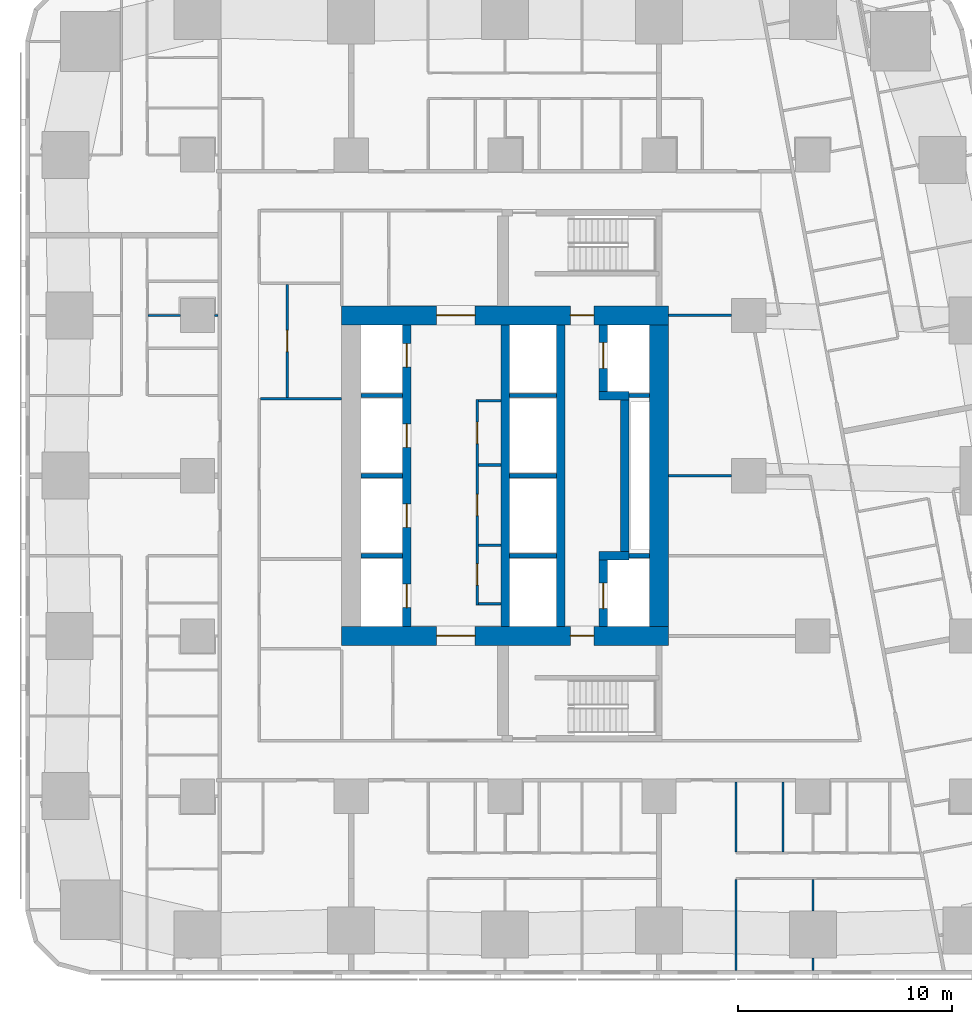
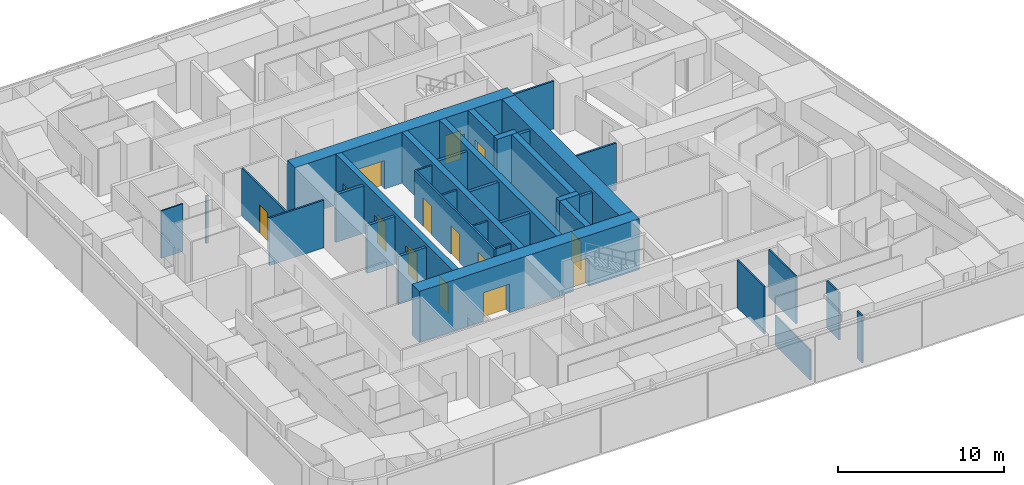
# One storey, part 5 of 15: 35 walls, 14 doors, 14 openings.
"""IFC4 building model written with IfcOpenShell, lengths in metres."""

from ifc_helpers import new_model, si_unit, direction, frame, frame_2d, origin, place, context, subcontext, project, spatial, rectangle, extrude, material, layer, layer_set, type_object, element, fill, save


model = new_model("IFC4")

# Units and contexts
model_context = context("Model", 3, precision=1e-05, world=origin(), true_north=direction((0.0, 1.0)))
body_context = subcontext(model_context, "Body", "Model", "MODEL_VIEW")
ifc_project = project(units=[si_unit("LENGTHUNIT", "METRE"), si_unit("AREAUNIT", "SQUARE_METRE"), si_unit("VOLUMEUNIT", "CUBIC_METRE"), si_unit("PLANEANGLEUNIT", "RADIAN"), si_unit("MASSUNIT", "GRAM", prefix="KILO")], contexts=[model_context])

# Site, building, storey
site_placement = place(None, origin())
site = spatial("IfcSite", under=ifc_project, at=site_placement, CompositionType="ELEMENT")
building_placement = place(site_placement, origin())
building = spatial("IfcBuilding", under=site, at=building_placement, Name="Sheger Commons Tower", CompositionType="ELEMENT")
storey_placement = place(building_placement, frame((0.0, 0.0, 81.64990234375)))
storey = spatial("IfcBuildingStorey", under=building, at=storey_placement, Name="L20", CompositionType="ELEMENT", Elevation=81.64990234375)

# Wall, openings, doors
ifc_material_1 = material(Name="Concrete C50/60", Category="concrete")
ifc_layer_1 = layer(ifc_material_1, 0.39990234375)
ifc_layer_set_1 = layer_set([ifc_layer_1], Name="CORE INNER WALL 400")
wall_type_1 = type_object("IfcWallType", Name="CORE INNER WALL 400", PredefinedType="SHEAR", material=ifc_layer_set_1)
wall_1_placement = place(storey_placement, frame((17.0, 15.449951171875, 0.0), z_axis=(0.0, 0.0, 1.0), x_axis=(0.0, 1.0, 0.0)))
wall_1 = element("IfcWall", 1, at=wall_1_placement, inside=storey, type_object=wall_type_1, Name="Core inner wall A L20", PredefinedType="SHEAR", context=body_context, shape_type="SweptSolid", body=[
    extrude(rectangle(XDim=14.10009765625, YDim=0.39990234375, at=frame_2d((7.050048828125, 0.0))), origin(), (0.0, 0.0, 1.0), 3.75),
])
opening_1_placement = place(wall_1_placement, frame((0.875, 0.0, 0.0)))
opening_1 = element("IfcOpeningElement", 2, at=opening_1_placement, cuts=wall_1, Name="Opening LD", PredefinedType="OPENING", context=body_context, shape_type="SweptSolid", body=[
    extrude(rectangle(XDim=1.10009765625, YDim=2.10009765625, at=frame_2d((0.550048828125, 1.050048828125))), frame((0.0, 0.2099609375, 0.0), z_axis=(0.0, -1.0, 0.0), x_axis=(1.0, 0.0, 0.0)), (0.0, 0.0, 1.0), 0.419921875),
])
opening_2_placement = place(wall_1_placement, frame((4.625, 0.0, 0.0)))
opening_2 = element("IfcOpeningElement", 3, at=opening_2_placement, cuts=wall_1, Name="Opening LD", PredefinedType="OPENING", context=body_context, shape_type="SweptSolid", body=[
    extrude(rectangle(XDim=1.10009765625, YDim=2.10009765625, at=frame_2d((0.550048828125, 1.050048828125))), frame((0.0, 0.2099609375, 0.0), z_axis=(0.0, -1.0, 0.0), x_axis=(1.0, 0.0, 0.0)), (0.0, 0.0, 1.0), 0.419921875),
])
opening_3_placement = place(wall_1_placement, frame((8.375, 0.0, 0.0)))
opening_3 = element("IfcOpeningElement", 4, at=opening_3_placement, cuts=wall_1, Name="Opening LD", PredefinedType="OPENING", context=body_context, shape_type="SweptSolid", body=[
    extrude(rectangle(XDim=1.10009765625, YDim=2.10009765625, at=frame_2d((0.550048828125, 1.050048828125))), frame((0.0, 0.2099609375, 0.0), z_axis=(0.0, -1.0, 0.0), x_axis=(1.0, 0.0, 0.0)), (0.0, 0.0, 1.0), 0.419921875),
])
opening_4_placement = place(wall_1_placement, frame((12.125, 0.0, 0.0)))
opening_4 = element("IfcOpeningElement", 5, at=opening_4_placement, cuts=wall_1, Name="Opening LD", PredefinedType="OPENING", context=body_context, shape_type="SweptSolid", body=[
    extrude(rectangle(XDim=1.10009765625, YDim=2.10009765625, at=frame_2d((0.550048828125, 1.050048828125))), frame((0.0, 0.2099609375, 0.0), z_axis=(0.0, -1.0, 0.0), x_axis=(1.0, 0.0, 0.0)), (0.0, 0.0, 1.0), 0.419921875),
])
ifc_material_2 = material(Name="Steel door set, fire rated", Category="steel")
door_type_1 = type_object("IfcDoorType", Name="LIFT LANDING DOOR 1100x2100", OperationType="DOUBLE_DOOR_SLIDING", PredefinedType="DOOR", material=ifc_material_2)
door_1_placement = place(opening_1_placement, origin())
door_1 = element("IfcDoor", 6, at=door_1_placement, inside=storey, type_object=door_type_1, Name="Lift LA1 landing door", OperationType="DOUBLE_DOOR_SLIDING", OverallHeight=2.10009765625, OverallWidth=1.10009765625, PredefinedType="DOOR", context=body_context, shape_type="SweptSolid", body=[
    extrude(rectangle(XDim=1.10009765625, YDim=2.10009765625, at=frame_2d((0.550048828125, 1.050048828125))), frame((0.0, 0.02490234375, 0.0), z_axis=(0.0, -1.0, 0.0), x_axis=(1.0, 0.0, 0.0)), (0.0, 0.0, 1.0), 0.050048828125),
])
fill(opening_1, door_1)
door_2_placement = place(opening_2_placement, origin())
door_2 = element("IfcDoor", 7, at=door_2_placement, inside=storey, type_object=door_type_1, Name="Lift LA2 landing door", OperationType="DOUBLE_DOOR_SLIDING", OverallHeight=2.10009765625, OverallWidth=1.10009765625, PredefinedType="DOOR", context=body_context, shape_type="SweptSolid", body=[
    extrude(rectangle(XDim=1.10009765625, YDim=2.10009765625, at=frame_2d((0.550048828125, 1.050048828125))), frame((0.0, 0.02490234375, 0.0), z_axis=(0.0, -1.0, 0.0), x_axis=(1.0, 0.0, 0.0)), (0.0, 0.0, 1.0), 0.050048828125),
])
fill(opening_2, door_2)
door_3_placement = place(opening_3_placement, origin())
door_3 = element("IfcDoor", 8, at=door_3_placement, inside=storey, type_object=door_type_1, Name="Lift LA3 landing door", OperationType="DOUBLE_DOOR_SLIDING", OverallHeight=2.10009765625, OverallWidth=1.10009765625, PredefinedType="DOOR", context=body_context, shape_type="SweptSolid", body=[
    extrude(rectangle(XDim=1.10009765625, YDim=2.10009765625, at=frame_2d((0.550048828125, 1.050048828125))), frame((0.0, 0.02490234375, 0.0), z_axis=(0.0, -1.0, 0.0), x_axis=(1.0, 0.0, 0.0)), (0.0, 0.0, 1.0), 0.050048828125),
])
fill(opening_3, door_3)
door_4_placement = place(opening_4_placement, origin())
door_4 = element("IfcDoor", 9, at=door_4_placement, inside=storey, type_object=door_type_1, Name="Lift LA4 landing door", OperationType="DOUBLE_DOOR_SLIDING", OverallHeight=2.10009765625, OverallWidth=1.10009765625, PredefinedType="DOOR", context=body_context, shape_type="SweptSolid", body=[
    extrude(rectangle(XDim=1.10009765625, YDim=2.10009765625, at=frame_2d((0.550048828125, 1.050048828125))), frame((0.0, 0.02490234375, 0.0), z_axis=(0.0, -1.0, 0.0), x_axis=(1.0, 0.0, 0.0)), (0.0, 0.0, 1.0), 0.050048828125),
])
fill(opening_4, door_4)

# Walls
for number, where, z_axis, x_axis, name in (
    (10, (21.60009765625, 15.449951171875, 0.0), (0.0, 0.0, 1.0), (0.0, 1.0, 0.0), "Core inner wall L L20"),
    (11, (24.199951171875, 15.449951171875, 0.0), (0.0, 0.0, 1.0), (0.0, 1.0, 0.0), "Core inner wall B L20"),
):
    element("IfcWall", number, at=place(storey_placement, frame(where, z_axis=z_axis, x_axis=x_axis)), inside=storey, type_object=wall_type_1, Name=name, PredefinedType="SHEAR", context=body_context, shape_type="SweptSolid", body=[
        extrude(rectangle(XDim=14.10009765625, YDim=0.39990234375, at=frame_2d((7.050048828125, 0.0))), origin(), (0.0, 0.0, 1.0), 3.75),
    ])

# Wall, opening, door
wall_2_placement = place(storey_placement, frame((26.199951171875, 15.449951171875, 0.0), z_axis=(0.0, 0.0, 1.0), x_axis=(0.0, 1.0, 0.0)))
wall_2 = element("IfcWall", 12, at=wall_2_placement, inside=storey, type_object=wall_type_1, Name="Core inner wall F L20", PredefinedType="SHEAR", context=body_context, shape_type="SweptSolid", body=[
    extrude(rectangle(XDim=3.10009765625, YDim=0.39990234375, at=frame_2d((1.550048828125, 0.0))), origin(), (0.0, 0.0, 1.0), 3.75),
])
opening_5_placement = place(wall_2_placement, frame((0.824951171875, 0.0, 0.0)))
opening_5 = element("IfcOpeningElement", 13, at=opening_5_placement, cuts=wall_2, Name="Opening LD2", PredefinedType="OPENING", context=body_context, shape_type="SweptSolid", body=[
    extrude(rectangle(XDim=1.199951171875, YDim=2.10009765625, at=frame_2d((0.60009765625, 1.050048828125))), frame((0.0, 0.2099609375, 0.0), z_axis=(0.0, -1.0, 0.0), x_axis=(1.0, 0.0, 0.0)), (0.0, 0.0, 1.0), 0.419921875),
])
ifc_material_3 = material(Name="Steel door set, fire rated", Category="steel")
door_type_2 = type_object("IfcDoorType", Name="FIREFIGHTING LIFT LANDING DOOR 1200x2100", OperationType="DOUBLE_DOOR_SLIDING", PredefinedType="DOOR", material=ifc_material_3)
door_5_placement = place(opening_5_placement, origin())
door_5 = element("IfcDoor", 14, at=door_5_placement, inside=storey, type_object=door_type_2, Name="Lift FL1 landing door", OperationType="DOUBLE_DOOR_SLIDING", OverallHeight=2.10009765625, OverallWidth=1.199951171875, PredefinedType="DOOR", context=body_context, shape_type="SweptSolid", body=[
    extrude(rectangle(XDim=1.199951171875, YDim=2.10009765625, at=frame_2d((0.60009765625, 1.050048828125))), frame((0.0, 0.02490234375, 0.0), z_axis=(0.0, -1.0, 0.0), x_axis=(1.0, 0.0, 0.0)), (0.0, 0.0, 1.0), 0.050048828125),
])
fill(opening_5, door_5)

# Walls
wall_3_placement = place(storey_placement, frame((26.0, 18.75, 0.0), z_axis=(0.0, 0.0, 1.0), x_axis=(1.0, 0.0, 0.0)))
element("IfcWall", 15, at=wall_3_placement, inside=storey, type_object=wall_type_1, Name="Core inner wall F south return L20", PredefinedType="SHEAR", context=body_context, shape_type="SweptSolid", body=[
    extrude(rectangle(XDim=1.39990234375, YDim=0.39990234375, at=frame_2d((0.699951171875, 0.0))), origin(), (0.0, 0.0, 1.0), 3.75),
])
wall_4_placement = place(storey_placement, frame((27.199951171875, 18.949951171875, 0.0), z_axis=(0.0, 0.0, 1.0), x_axis=(0.0, 1.0, 0.0)))
element("IfcWall", 16, at=wall_4_placement, inside=storey, type_object=wall_type_1, Name="Core inner wall F middle L20", PredefinedType="SHEAR", context=body_context, shape_type="SweptSolid", body=[
    extrude(rectangle(XDim=7.10009765625, YDim=0.39990234375, at=frame_2d((3.550048828125, 0.0))), origin(), (0.0, 0.0, 1.0), 3.75),
])
wall_5_placement = place(storey_placement, frame((26.0, 26.25, 0.0), z_axis=(0.0, 0.0, 1.0), x_axis=(1.0, 0.0, 0.0)))
element("IfcWall", 17, at=wall_5_placement, inside=storey, type_object=wall_type_1, Name="Core inner wall F north return L20", PredefinedType="SHEAR", context=body_context, shape_type="SweptSolid", body=[
    extrude(rectangle(XDim=1.39990234375, YDim=0.39990234375, at=frame_2d((0.699951171875, 0.0))), origin(), (0.0, 0.0, 1.0), 3.75),
])

# Wall, opening, door
wall_6_placement = place(storey_placement, frame((26.199951171875, 26.449951171875, 0.0), z_axis=(0.0, 0.0, 1.0), x_axis=(0.0, 1.0, 0.0)))
wall_6 = element("IfcWall", 18, at=wall_6_placement, inside=storey, type_object=wall_type_1, Name="Core inner wall F north L20", PredefinedType="SHEAR", context=body_context, shape_type="SweptSolid", body=[
    extrude(rectangle(XDim=3.10009765625, YDim=0.39990234375, at=frame_2d((1.550048828125, 0.0))), origin(), (0.0, 0.0, 1.0), 3.75),
])
opening_6_placement = place(wall_6_placement, frame((1.074951171875, 0.0, 0.0)))
opening_6 = element("IfcOpeningElement", 19, at=opening_6_placement, cuts=wall_6, Name="Opening LD2", PredefinedType="OPENING", context=body_context, shape_type="SweptSolid", body=[
    extrude(rectangle(XDim=1.199951171875, YDim=2.10009765625, at=frame_2d((0.60009765625, 1.050048828125))), frame((0.0, 0.2099609375, 0.0), z_axis=(0.0, -1.0, 0.0), x_axis=(1.0, 0.0, 0.0)), (0.0, 0.0, 1.0), 0.419921875),
])
door_6_placement = place(opening_6_placement, origin())
door_6 = element("IfcDoor", 20, at=door_6_placement, inside=storey, type_object=door_type_2, Name="Lift FL2 landing door", OperationType="DOUBLE_DOOR_SLIDING", OverallHeight=2.10009765625, OverallWidth=1.199951171875, PredefinedType="DOOR", context=body_context, shape_type="SweptSolid", body=[
    extrude(rectangle(XDim=1.199951171875, YDim=2.10009765625, at=frame_2d((0.60009765625, 1.050048828125))), frame((0.0, 0.02490234375, 0.0), z_axis=(0.0, -1.0, 0.0), x_axis=(1.0, 0.0, 0.0)), (0.0, 0.0, 1.0), 0.050048828125),
])
fill(opening_6, door_6)

# Wall, openings, doors
ifc_material_4 = material(Name="Concrete C50/60", Category="concrete")
ifc_layer_2 = layer(ifc_material_4, 0.89990234375)
ifc_layer_set_2 = layer_set([ifc_layer_2], Name="CORE WALL 900")
wall_type_2 = type_object("IfcWallType", Name="CORE WALL 900", PredefinedType="SHEAR", material=ifc_layer_set_2)
wall_7_placement = place(storey_placement, frame((13.949951171875, 15.0, 0.0), z_axis=(0.0, 0.0, 1.0), x_axis=(1.0, 0.0, 0.0)))
wall_7 = element("IfcWall", 21, at=wall_7_placement, inside=storey, type_object=wall_type_2, Name="Core wall south L20", PredefinedType="SHEAR", context=body_context, shape_type="SweptSolid", body=[
    extrude(rectangle(XDim=15.300048828125, YDim=0.89990234375, at=frame_2d((7.64990234375, 0.0))), origin(), (0.0, 0.0, 1.0), 3.75),
])
opening_7_placement = place(wall_7_placement, frame((4.449951171875, 0.0, 0.0)))
opening_7 = element("IfcOpeningElement", 22, at=opening_7_placement, cuts=wall_7, Name="Opening D6", PredefinedType="OPENING", context=body_context, shape_type="SweptSolid", body=[
    extrude(rectangle(XDim=1.800048828125, YDim=2.10009765625, at=frame_2d((0.89990234375, 1.050048828125))), frame((0.0, 0.4599609375, 0.0), z_axis=(0.0, -1.0, 0.0), x_axis=(1.0, 0.0, 0.0)), (0.0, 0.0, 1.0), 0.919921875),
])
opening_8_placement = place(wall_7_placement, frame((10.699951171875, 0.0, 0.0)))
opening_8 = element("IfcOpeningElement", 23, at=opening_8_placement, cuts=wall_7, Name="Opening D5", PredefinedType="OPENING", context=body_context, shape_type="SweptSolid", body=[
    extrude(rectangle(XDim=1.10009765625, YDim=2.10009765625, at=frame_2d((0.550048828125, 1.050048828125))), frame((0.0, 0.4599609375, 0.0), z_axis=(0.0, -1.0, 0.0), x_axis=(1.0, 0.0, 0.0)), (0.0, 0.0, 1.0), 0.919921875),
])
ifc_material_5 = material(Name="Steel door set, fire rated", Category="steel")
door_type_3 = type_object("IfcDoorType", Name="LOBBY DOUBLE DOOR 1800x2100", OperationType="DOUBLE_DOOR_SINGLE_SWING", PredefinedType="DOOR", material=ifc_material_5)
door_7_placement = place(opening_7_placement, origin())
door_7 = element("IfcDoor", 24, at=door_7_placement, inside=storey, type_object=door_type_3, Name="Lift lobby door", OperationType="DOUBLE_DOOR_SINGLE_SWING", OverallHeight=2.10009765625, OverallWidth=1.800048828125, PredefinedType="DOOR", context=body_context, shape_type="SweptSolid", body=[
    extrude(rectangle(XDim=1.800048828125, YDim=2.10009765625, at=frame_2d((0.89990234375, 1.050048828125))), frame((0.0, 0.02490234375, 0.0), z_axis=(0.0, -1.0, 0.0), x_axis=(1.0, 0.0, 0.0)), (0.0, 0.0, 1.0), 0.050048828125),
])
fill(opening_7, door_7)
ifc_material_6 = material(Name="Steel door set, fire rated", Category="steel")
door_type_4 = type_object("IfcDoorType", Name="STAIR DOOR 1100x2100", OperationType="NOTDEFINED", PredefinedType="DOOR", material=ifc_material_6)
door_8_placement = place(opening_8_placement, origin())
door_8 = element("IfcDoor", 25, at=door_8_placement, inside=storey, type_object=door_type_4, Name="Fire-fighting lobby door", OperationType="SINGLE_SWING_LEFT", OverallHeight=2.10009765625, OverallWidth=1.10009765625, PredefinedType="DOOR", context=body_context, shape_type="SweptSolid", body=[
    extrude(rectangle(XDim=1.10009765625, YDim=2.10009765625, at=frame_2d((0.550048828125, 1.050048828125))), frame((0.0, 0.02490234375, 0.0), z_axis=(0.0, -1.0, 0.0), x_axis=(1.0, 0.0, 0.0)), (0.0, 0.0, 1.0), 0.050048828125),
])
fill(opening_8, door_8)

wall_8_placement = place(storey_placement, frame((13.949951171875, 30.0, 0.0), z_axis=(0.0, 0.0, 1.0), x_axis=(1.0, 0.0, 0.0)))
wall_8 = element("IfcWall", 26, at=wall_8_placement, inside=storey, type_object=wall_type_2, Name="Core wall north L20", PredefinedType="SHEAR", context=body_context, shape_type="SweptSolid", body=[
    extrude(rectangle(XDim=15.300048828125, YDim=0.89990234375, at=frame_2d((7.64990234375, 0.0))), origin(), (0.0, 0.0, 1.0), 3.75),
])
opening_9_placement = place(wall_8_placement, frame((4.449951171875, 0.0, 0.0)))
opening_9 = element("IfcOpeningElement", 27, at=opening_9_placement, cuts=wall_8, Name="Opening D6", PredefinedType="OPENING", context=body_context, shape_type="SweptSolid", body=[
    extrude(rectangle(XDim=1.800048828125, YDim=2.10009765625, at=frame_2d((0.89990234375, 1.050048828125))), frame((0.0, 0.4599609375, 0.0), z_axis=(0.0, -1.0, 0.0), x_axis=(1.0, 0.0, 0.0)), (0.0, 0.0, 1.0), 0.919921875),
])
opening_10_placement = place(wall_8_placement, frame((10.699951171875, 0.0, 0.0)))
opening_10 = element("IfcOpeningElement", 28, at=opening_10_placement, cuts=wall_8, Name="Opening D5", PredefinedType="OPENING", context=body_context, shape_type="SweptSolid", body=[
    extrude(rectangle(XDim=1.10009765625, YDim=2.10009765625, at=frame_2d((0.550048828125, 1.050048828125))), frame((0.0, 0.4599609375, 0.0), z_axis=(0.0, -1.0, 0.0), x_axis=(1.0, 0.0, 0.0)), (0.0, 0.0, 1.0), 0.919921875),
])
door_9_placement = place(opening_9_placement, origin())
door_9 = element("IfcDoor", 29, at=door_9_placement, inside=storey, type_object=door_type_3, Name="Lift lobby door", OperationType="DOUBLE_DOOR_SINGLE_SWING", OverallHeight=2.10009765625, OverallWidth=1.800048828125, PredefinedType="DOOR", context=body_context, shape_type="SweptSolid", body=[
    extrude(rectangle(XDim=1.800048828125, YDim=2.10009765625, at=frame_2d((0.89990234375, 1.050048828125))), frame((0.0, 0.02490234375, 0.0), z_axis=(0.0, -1.0, 0.0), x_axis=(1.0, 0.0, 0.0)), (0.0, 0.0, 1.0), 0.050048828125),
])
fill(opening_9, door_9)
door_10_placement = place(opening_10_placement, origin())
door_10 = element("IfcDoor", 30, at=door_10_placement, inside=storey, type_object=door_type_4, Name="Fire-fighting lobby door", OperationType="SINGLE_SWING_LEFT", OverallHeight=2.10009765625, OverallWidth=1.10009765625, PredefinedType="DOOR", context=body_context, shape_type="SweptSolid", body=[
    extrude(rectangle(XDim=1.10009765625, YDim=2.10009765625, at=frame_2d((0.550048828125, 1.050048828125))), frame((0.0, 0.02490234375, 0.0), z_axis=(0.0, -1.0, 0.0), x_axis=(1.0, 0.0, 0.0)), (0.0, 0.0, 1.0), 0.050048828125),
])
fill(opening_10, door_10)

# Walls
wall_9_placement = place(storey_placement, frame((28.800048828125, 15.449951171875, 0.0), z_axis=(0.0, 0.0, 1.0), x_axis=(0.0, 1.0, 0.0)))
element("IfcWall", 31, at=wall_9_placement, inside=storey, type_object=wall_type_2, Name="Core wall east L20", PredefinedType="SHEAR", context=body_context, shape_type="SweptSolid", body=[
    extrude(rectangle(XDim=14.10009765625, YDim=0.89990234375, at=frame_2d((7.050048828125, 0.0))), origin(), (0.0, 0.0, 1.0), 3.75),
])
ifc_material_7 = material(Name="Gypsum board on steel studs", Category="steel")
ifc_layer_3 = layer(ifc_material_7, 0.10009765625)
ifc_layer_set_3 = layer_set([ifc_layer_3], Name="PARTITION 100")
wall_type_3 = type_object("IfcWallType", Name="PARTITION 100", PredefinedType="PARTITIONING", material=ifc_layer_set_3)
wall_10_placement = place(storey_placement, frame((4.89990234375, 30.0, 0.0), z_axis=(0.0, 0.0, 1.0), x_axis=(1.0, 0.0, 0.0)))
element("IfcWall", 32, at=wall_10_placement, inside=storey, type_object=wall_type_3, Name="Partition L20", PredefinedType="PARTITIONING", context=body_context, shape_type="SweptSolid", body=[
    extrude(rectangle(XDim=1.4990234375, YDim=0.10009765625, at=frame_2d((0.74951171875, 0.0))), origin(), (0.0, 0.0, 1.0), 3.5),
])
wall_11_placement = place(storey_placement, frame((8.0009765625, 30.0, 0.0), z_axis=(0.0, 0.0, 1.0), x_axis=(1.0, 0.0, 0.0)))
element("IfcWall", 33, at=wall_11_placement, inside=storey, type_object=wall_type_3, Name="Partition L20", PredefinedType="PARTITIONING", context=body_context, shape_type="SweptSolid", body=[
    extrude(rectangle(XDim=0.174072265625, YDim=0.10009765625, at=frame_2d((0.0869140625, 0.0))), origin(), (0.0, 0.0, 1.0), 3.5),
])
wall_12_placement = place(storey_placement, frame((32.39990234375, -0.64990234375, 0.0), z_axis=(0.0, 0.0, 1.0), x_axis=(0.0, 1.0, 0.0)))
element("IfcWall", 34, at=wall_12_placement, inside=storey, type_object=wall_type_3, Name="Partition L20", PredefinedType="PARTITIONING", context=body_context, shape_type="SweptSolid", body=[
    extrude(rectangle(XDim=4.25, YDim=0.10009765625, at=frame_2d((2.125, 0.0))), origin(), (0.0, 0.0, 1.0), 2.2001953125),
])
wall_13_placement = place(storey_placement, frame((36.0, -0.64990234375, 0.0), z_axis=(0.0, 0.0, 1.0), x_axis=(0.0, 1.0, 0.0)))
element("IfcWall", 35, at=wall_13_placement, inside=storey, type_object=wall_type_3, Name="Partition L20", PredefinedType="PARTITIONING", context=body_context, shape_type="SweptSolid", body=[
    extrude(rectangle(XDim=0.573974609375, YDim=0.10009765625, at=frame_2d((0.287109375, 0.0))), origin(), (0.0, 0.0, 1.0), 3.5),
])
wall_14_placement = place(storey_placement, frame((36.0, 2.1259765625, 0.0), z_axis=(0.0, 0.0, 1.0), x_axis=(0.0, 1.0, 0.0)))
element("IfcWall", 36, at=wall_14_placement, inside=storey, type_object=wall_type_3, Name="Partition L20", PredefinedType="PARTITIONING", context=body_context, shape_type="SweptSolid", body=[
    extrude(rectangle(XDim=1.47412109375, YDim=0.10009765625, at=frame_2d((0.737060546875, 0.0))), origin(), (0.0, 0.0, 1.0), 3.5),
])
for number, where, z_axis, x_axis, name in (
    (37, (32.39990234375, 4.89990234375, 0.0), (0.0, 0.0, 1.0), (0.0, 1.0, 0.0), "Partition L20"),
    (38, (34.610107421875, 4.89990234375, 0.0), (0.0, 0.0, 1.0), (0.0, 1.0, 0.0), "Partition L20"),
):
    element("IfcWall", number, at=place(storey_placement, frame(where, z_axis=z_axis, x_axis=x_axis)), inside=storey, type_object=wall_type_3, Name=name, PredefinedType="PARTITIONING", context=body_context, shape_type="SweptSolid", body=[
        extrude(rectangle(XDim=3.275146484375, YDim=0.10009765625, at=frame_2d((1.6376953125, 0.0))), origin(), (0.0, 0.0, 1.0), 3.5),
    ])

# Wall, opening, door
ifc_material_8 = material(Name="Gypsum board on steel studs, two layers each side, fire rated", Category="steel")
ifc_layer_4 = layer(ifc_material_8, 0.125)
ifc_layer_set_4 = layer_set([ifc_layer_4], Name="SERVICE WALL 125")
wall_type_4 = type_object("IfcWallType", Name="SERVICE WALL 125", PredefinedType="PARTITIONING", material=ifc_layer_set_4)
wall_15_placement = place(storey_placement, frame((11.39990234375, 26.1630859375, 0.0), z_axis=(0.0, 0.0, 1.0), x_axis=(0.0, 1.0, 0.0)))
wall_15 = element("IfcWall", 39, at=wall_15_placement, inside=storey, type_object=wall_type_4, Name="Service room wall L20", PredefinedType="PARTITIONING", context=body_context, shape_type="SweptSolid", body=[
    extrude(rectangle(XDim=5.27490234375, YDim=0.125, at=frame_2d((2.637451171875, 0.0))), origin(), (0.0, 0.0, 1.0), 3.5),
])
opening_11_placement = place(wall_15_placement, frame((2.136962890625, 0.0, 0.0)))
opening_11 = element("IfcOpeningElement", 40, at=opening_11_placement, cuts=wall_15, Name="Opening D4", PredefinedType="OPENING", context=body_context, shape_type="SweptSolid", body=[
    extrude(rectangle(XDim=1.0, YDim=2.10009765625, at=frame_2d((0.5, 1.050048828125))), frame((0.0, 0.072509765625, 0.0), z_axis=(0.0, -1.0, 0.0), x_axis=(1.0, 0.0, 0.0)), (0.0, 0.0, 1.0), 0.14501953125),
])
ifc_material_9 = material(Name="Steel door set, fire rated", Category="steel")
door_type_5 = type_object("IfcDoorType", Name="SERVICE DOOR 1000x2100", OperationType="NOTDEFINED", PredefinedType="DOOR", material=ifc_material_9)
door_11_placement = place(opening_11_placement, origin())
door_11 = element("IfcDoor", 41, at=door_11_placement, inside=storey, type_object=door_type_5, Name="Laundry and drying room door", OperationType="SINGLE_SWING_RIGHT", OverallHeight=2.10009765625, OverallWidth=1.0, PredefinedType="DOOR", context=body_context, shape_type="SweptSolid", body=[
    extrude(rectangle(XDim=1.0, YDim=2.10009765625, at=frame_2d((0.5, 1.050048828125))), frame((0.0, 0.02490234375, 0.0), z_axis=(0.0, -1.0, 0.0), x_axis=(1.0, 0.0, 0.0)), (0.0, 0.0, 1.0), 0.050048828125),
])
fill(opening_11, door_11)

# Walls
wall_16_placement = place(storey_placement, frame((10.1630859375, 26.10009765625, 0.0), z_axis=(0.0, 0.0, 1.0), x_axis=(1.0, 0.0, 0.0)))
element("IfcWall", 42, at=wall_16_placement, inside=storey, type_object=wall_type_4, Name="Service room wall L20", PredefinedType="PARTITIONING", context=body_context, shape_type="SweptSolid", body=[
    extrude(rectangle(XDim=3.786865234375, YDim=0.125, at=frame_2d((1.8935546875, 0.0))), origin(), (0.0, 0.0, 1.0), 3.5),
])
for number, where, z_axis, x_axis, name in (
    (43, (29.25, 22.5, 0.0), (0.0, 0.0, 1.0), (1.0, 0.0, 0.0), "Service room wall L20"),
    (44, (29.25, 30.0, 0.0), (0.0, 0.0, 1.0), (1.0, 0.0, 0.0), "Service room wall L20"),
):
    element("IfcWall", number, at=place(storey_placement, frame(where, z_axis=z_axis, x_axis=x_axis)), inside=storey, type_object=wall_type_4, Name=name, PredefinedType="PARTITIONING", context=body_context, shape_type="SweptSolid", body=[
        extrude(rectangle(XDim=2.948974609375, YDim=0.125, at=frame_2d((1.474609375, 0.0))), origin(), (0.0, 0.0, 1.0), 3.5),
    ])

# Wall, openings, doors
wall_17_placement = place(storey_placement, frame((20.300048828125, 16.43798828125, 0.0), z_axis=(0.0, 0.0, 1.0), x_axis=(0.0, 1.0, 0.0)))
wall_17 = element("IfcWall", 45, at=wall_17_placement, inside=storey, type_object=wall_type_4, Name="Service room wall L20", PredefinedType="PARTITIONING", context=body_context, shape_type="SweptSolid", body=[
    extrude(rectangle(XDim=9.6240234375, YDim=0.125, at=frame_2d((4.81201171875, 0.0))), origin(), (0.0, 0.0, 1.0), 3.5),
])
opening_12_placement = place(wall_17_placement, frame((0.93701171875, 0.0, 0.0)))
opening_12 = element("IfcOpeningElement", 46, at=opening_12_placement, cuts=wall_17, Name="Opening D4", PredefinedType="OPENING", context=body_context, shape_type="SweptSolid", body=[
    extrude(rectangle(XDim=1.0, YDim=2.10009765625, at=frame_2d((0.5, 1.050048828125))), frame((0.0, 0.072509765625, 0.0), z_axis=(0.0, -1.0, 0.0), x_axis=(1.0, 0.0, 0.0)), (0.0, 0.0, 1.0), 0.14501953125),
])
opening_13_placement = place(wall_17_placement, frame((4.18701171875, 0.0, 0.0)))
opening_13 = element("IfcOpeningElement", 47, at=opening_13_placement, cuts=wall_17, Name="Opening D4", PredefinedType="OPENING", context=body_context, shape_type="SweptSolid", body=[
    extrude(rectangle(XDim=1.0, YDim=2.10009765625, at=frame_2d((0.5, 1.050048828125))), frame((0.0, 0.072509765625, 0.0), z_axis=(0.0, -1.0, 0.0), x_axis=(1.0, 0.0, 0.0)), (0.0, 0.0, 1.0), 0.14501953125),
])
opening_14_placement = place(wall_17_placement, frame((7.56201171875, 0.0, 0.0)))
opening_14 = element("IfcOpeningElement", 48, at=opening_14_placement, cuts=wall_17, Name="Opening D4", PredefinedType="OPENING", context=body_context, shape_type="SweptSolid", body=[
    extrude(rectangle(XDim=1.0, YDim=2.10009765625, at=frame_2d((0.5, 1.050048828125))), frame((0.0, 0.072509765625, 0.0), z_axis=(0.0, -1.0, 0.0), x_axis=(1.0, 0.0, 0.0)), (0.0, 0.0, 1.0), 0.14501953125),
])
door_12_placement = place(opening_12_placement, origin())
door_12 = element("IfcDoor", 49, at=door_12_placement, inside=storey, type_object=door_type_5, Name="Communications cupboard door", OperationType="SINGLE_SWING_RIGHT", OverallHeight=2.10009765625, OverallWidth=1.0, PredefinedType="DOOR", context=body_context, shape_type="SweptSolid", body=[
    extrude(rectangle(XDim=1.0, YDim=2.10009765625, at=frame_2d((0.5, 1.050048828125))), frame((0.0, 0.02490234375, 0.0), z_axis=(0.0, -1.0, 0.0), x_axis=(1.0, 0.0, 0.0)), (0.0, 0.0, 1.0), 0.050048828125),
])
fill(opening_12, door_12)
door_13_placement = place(opening_13_placement, origin())
door_13 = element("IfcDoor", 50, at=door_13_placement, inside=storey, type_object=door_type_5, Name="Electrical cupboard door", OperationType="SINGLE_SWING_RIGHT", OverallHeight=2.10009765625, OverallWidth=1.0, PredefinedType="DOOR", context=body_context, shape_type="SweptSolid", body=[
    extrude(rectangle(XDim=1.0, YDim=2.10009765625, at=frame_2d((0.5, 1.050048828125))), frame((0.0, 0.02490234375, 0.0), z_axis=(0.0, -1.0, 0.0), x_axis=(1.0, 0.0, 0.0)), (0.0, 0.0, 1.0), 0.050048828125),
])
fill(opening_13, door_13)
door_14_placement = place(opening_14_placement, origin())
door_14 = element("IfcDoor", 51, at=door_14_placement, inside=storey, type_object=door_type_5, Name="Cleaner's cupboard door", OperationType="SINGLE_SWING_LEFT", OverallHeight=2.10009765625, OverallWidth=1.0, PredefinedType="DOOR", context=body_context, shape_type="SweptSolid", body=[
    extrude(rectangle(XDim=1.0, YDim=2.10009765625, at=frame_2d((0.5, 1.050048828125))), frame((0.0, 0.02490234375, 0.0), z_axis=(0.0, -1.0, 0.0), x_axis=(1.0, 0.0, 0.0)), (0.0, 0.0, 1.0), 0.050048828125),
])
fill(opening_14, door_14)

# Walls
for number, where, z_axis, x_axis, name in (
    (52, (20.363037109375, 16.5, 0.0), (0.0, 0.0, 1.0), (1.0, 0.0, 0.0), "Service room wall L20"),
    (53, (20.363037109375, 26.0, 0.0), (0.0, 0.0, 1.0), (1.0, 0.0, 0.0), "Service room wall L20"),
    (54, (20.363037109375, 19.25, 0.0), (0.0, 0.0, 1.0), (1.0, 0.0, 0.0), "Service room wall L20"),
    (55, (20.363037109375, 23.0, 0.0), (0.0, 0.0, 1.0), (1.0, 0.0, 0.0), "Service room wall L20"),
):
    element("IfcWall", number, at=place(storey_placement, frame(where, z_axis=z_axis, x_axis=x_axis)), inside=storey, type_object=wall_type_4, Name=name, PredefinedType="PARTITIONING", context=body_context, shape_type="SweptSolid", body=[
        extrude(rectangle(XDim=1.036865234375, YDim=0.125, at=frame_2d((0.5185546875, 0.0))), origin(), (0.0, 0.0, 1.0), 3.5),
    ])
ifc_material_10 = material(Name="Hollow concrete block masonry", Category="masonry")
ifc_layer_5 = layer(ifc_material_10, 0.199951171875)
ifc_layer_set_5 = layer_set([ifc_layer_5], Name="SHAFT WALL 200")
wall_type_5 = type_object("IfcWallType", Name="SHAFT WALL 200", PredefinedType="SOLIDWALL", material=ifc_layer_set_5)
wall_18_placement = place(storey_placement, frame((14.85009765625, 18.75, 0.0), z_axis=(0.0, 0.0, 1.0), x_axis=(1.0, 0.0, 0.0)))
element("IfcWall", 56, at=wall_18_placement, inside=storey, type_object=wall_type_5, Name="Lift shaft wall L20", PredefinedType="SOLIDWALL", context=body_context, shape_type="SweptSolid", body=[
    extrude(rectangle(XDim=1.949951171875, YDim=0.199951171875, at=frame_2d((0.97509765625, 0.0))), origin(), (0.0, 0.0, 1.0), 3.5),
])
wall_19_placement = place(storey_placement, frame((21.800048828125, 18.75, 0.0), z_axis=(0.0, 0.0, 1.0), x_axis=(1.0, 0.0, 0.0)))
element("IfcWall", 57, at=wall_19_placement, inside=storey, type_object=wall_type_5, Name="Lift shaft wall L20", PredefinedType="SOLIDWALL", context=body_context, shape_type="SweptSolid", body=[
    extrude(rectangle(XDim=2.199951171875, YDim=0.199951171875, at=frame_2d((1.10009765625, 0.0))), origin(), (0.0, 0.0, 1.0), 3.5),
])
wall_20_placement = place(storey_placement, frame((14.85009765625, 22.5, 0.0), z_axis=(0.0, 0.0, 1.0), x_axis=(1.0, 0.0, 0.0)))
element("IfcWall", 58, at=wall_20_placement, inside=storey, type_object=wall_type_5, Name="Lift shaft wall L20", PredefinedType="SOLIDWALL", context=body_context, shape_type="SweptSolid", body=[
    extrude(rectangle(XDim=1.949951171875, YDim=0.199951171875, at=frame_2d((0.97509765625, 0.0))), origin(), (0.0, 0.0, 1.0), 3.5),
])
wall_21_placement = place(storey_placement, frame((21.800048828125, 22.5, 0.0), z_axis=(0.0, 0.0, 1.0), x_axis=(1.0, 0.0, 0.0)))
element("IfcWall", 59, at=wall_21_placement, inside=storey, type_object=wall_type_5, Name="Lift shaft wall L20", PredefinedType="SOLIDWALL", context=body_context, shape_type="SweptSolid", body=[
    extrude(rectangle(XDim=2.199951171875, YDim=0.199951171875, at=frame_2d((1.10009765625, 0.0))), origin(), (0.0, 0.0, 1.0), 3.5),
])
wall_22_placement = place(storey_placement, frame((14.85009765625, 26.25, 0.0), z_axis=(0.0, 0.0, 1.0), x_axis=(1.0, 0.0, 0.0)))
element("IfcWall", 60, at=wall_22_placement, inside=storey, type_object=wall_type_5, Name="Lift shaft wall L20", PredefinedType="SOLIDWALL", context=body_context, shape_type="SweptSolid", body=[
    extrude(rectangle(XDim=1.949951171875, YDim=0.199951171875, at=frame_2d((0.97509765625, 0.0))), origin(), (0.0, 0.0, 1.0), 3.5),
])
wall_23_placement = place(storey_placement, frame((21.800048828125, 26.25, 0.0), z_axis=(0.0, 0.0, 1.0), x_axis=(1.0, 0.0, 0.0)))
element("IfcWall", 61, at=wall_23_placement, inside=storey, type_object=wall_type_5, Name="Lift shaft wall L20", PredefinedType="SOLIDWALL", context=body_context, shape_type="SweptSolid", body=[
    extrude(rectangle(XDim=2.199951171875, YDim=0.199951171875, at=frame_2d((1.10009765625, 0.0))), origin(), (0.0, 0.0, 1.0), 3.5),
])
for number, where, z_axis, x_axis, name in (
    (62, (27.39990234375, 18.75, 0.0), (0.0, 0.0, 1.0), (1.0, 0.0, 0.0), "Lift shaft wall L20"),
    (63, (27.39990234375, 26.25, 0.0), (0.0, 0.0, 1.0), (1.0, 0.0, 0.0), "Lift shaft wall L20"),
):
    element("IfcWall", number, at=place(storey_placement, frame(where, z_axis=z_axis, x_axis=x_axis)), inside=storey, type_object=wall_type_5, Name=name, PredefinedType="SOLIDWALL", context=body_context, shape_type="SweptSolid", body=[
        extrude(rectangle(XDim=0.9501953125, YDim=0.199951171875, at=frame_2d((0.47509765625, 0.0))), origin(), (0.0, 0.0, 1.0), 3.5),
    ])

save(model, "model.ifc")
